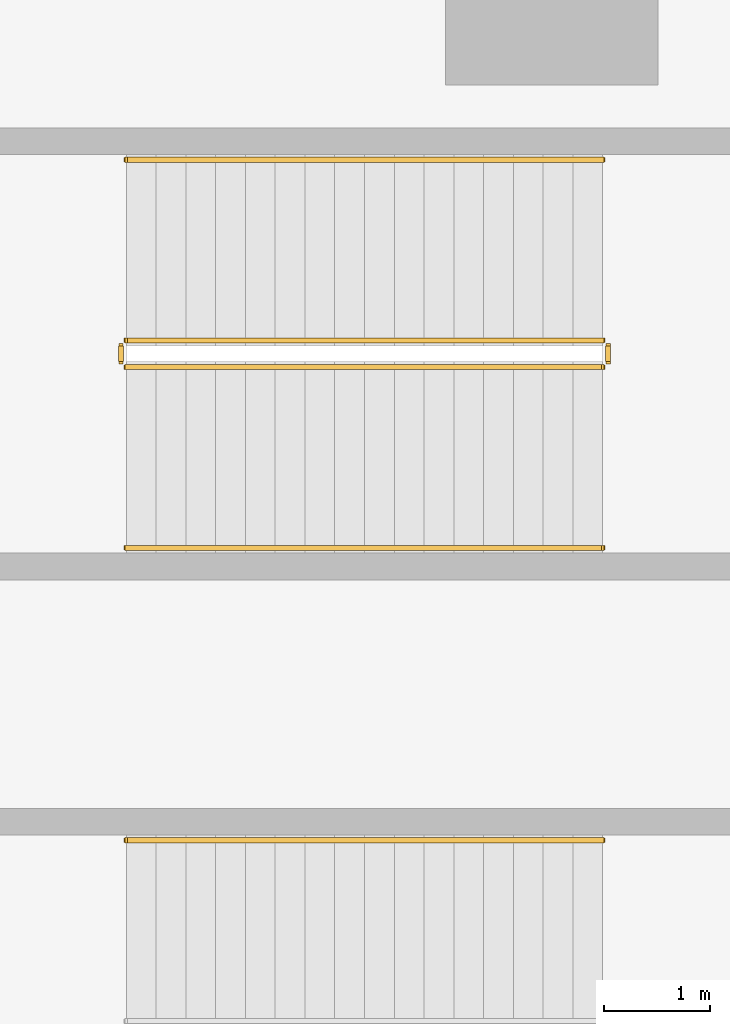
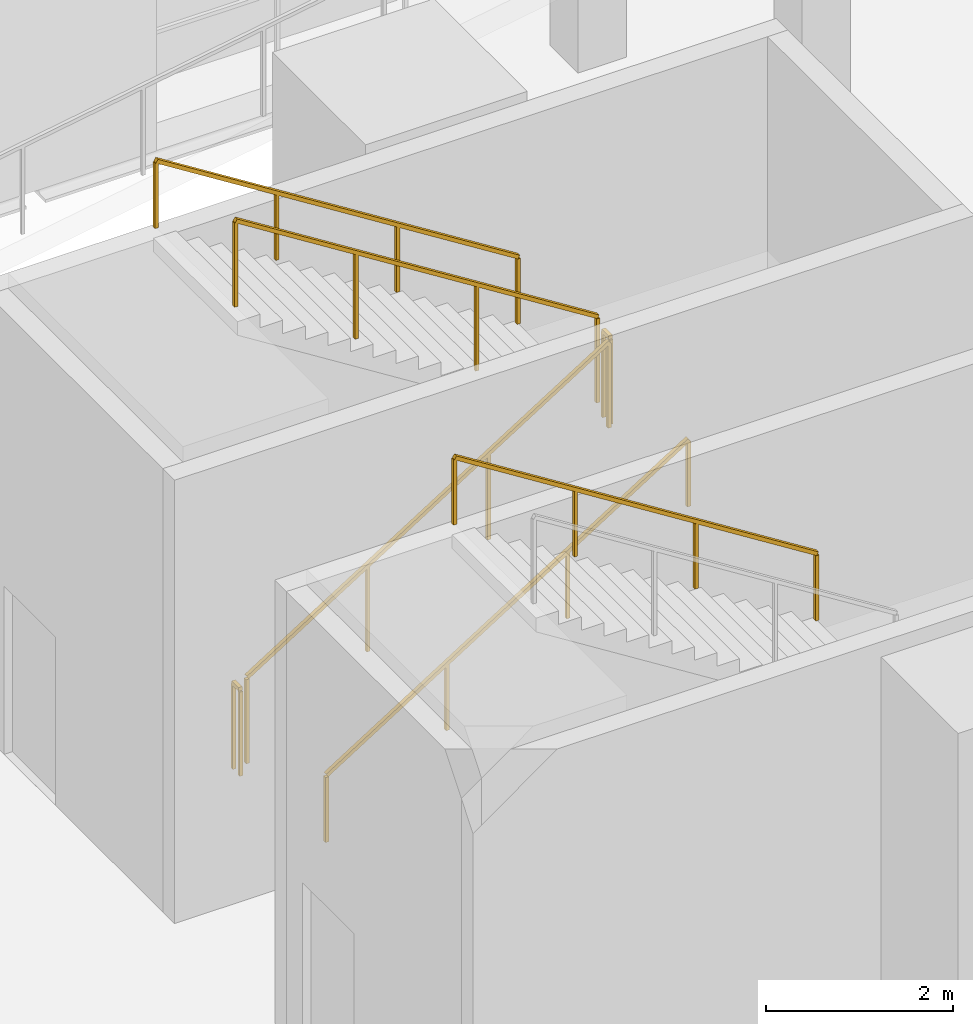
# One storey, part 13 of 16: 7 railings.
"""IFC4 building model written with IfcOpenShell, lengths in metres."""

from ifc_helpers import new_model, si_unit, direction, frame, origin, origin_2d, place, context, subcontext, project, spatial, rectangle, extrude, source, transform, mapped, material, type_object, element, save


model = new_model("IFC4")

# Units and contexts
model_context = context("Model", 3, precision=1e-05, world=origin(), true_north=direction((0.0, 1.0)))
body_context = subcontext(model_context, "Body", "Model", "MODEL_VIEW")
ifc_project = project(units=[si_unit("LENGTHUNIT", "METRE"), si_unit("AREAUNIT", "SQUARE_METRE"), si_unit("VOLUMEUNIT", "CUBIC_METRE"), si_unit("PLANEANGLEUNIT", "RADIAN"), si_unit("MASSUNIT", "GRAM", prefix="KILO")], contexts=[model_context])

# Site, building, storey
site_placement = place(None, origin())
site = spatial("IfcSite", under=ifc_project, at=site_placement, CompositionType="ELEMENT")
building_placement = place(site_placement, origin())
building = spatial("IfcBuilding", under=site, at=building_placement, Name="Vardaveli Station Tower", CompositionType="ELEMENT")
storey_placement = place(building_placement, frame((0.0, 0.0, -6.0)))
storey = spatial("IfcBuildingStorey", under=building, at=storey_placement, Name="B01", CompositionType="ELEMENT", Elevation=-6.0)

# Railings
ifc_material = material(Name="Brushed AISI 316 stainless steel", Category="steel")
railing_type_1 = type_object("IfcRailingType", Name="RL-GUARD-1150", PredefinedType="GUARDRAIL", material=ifc_material)
shared_shape_1 = source(origin(), body_context, "Body", "SweptSolid", [
    extrude(rectangle(XDim=0.048095703125, YDim=0.048095703125, at=origin_2d()), frame((0.0, 0.0, 1.1259765625), z_axis=(0.0, 1.0, 0.0), x_axis=(-1.0, 0.0, 0.0)), (0.0, 0.0, 1.0), 0.14990234375),
    extrude(rectangle(XDim=0.0419921875, YDim=0.0419921875, at=origin_2d()), origin(), (0.0, 0.0, 1.0), 1.101806640625),
    extrude(rectangle(XDim=0.0419921875, YDim=0.0419921875, at=origin_2d()), frame((0.0, 0.14990234375, 0.0)), (0.0, 0.0, 1.0), 1.101806640625),
])
for number, where, name in (
    (1, (60.530029296875, 38.0, 3.0), "B01 ST-P2 stair guard 2"),
    (2, (55.949951171875, 38.0, 0.0), "B01 ST-P2 stair guard 4"),
):
    element("IfcRailing", number, at=place(storey_placement, frame(where)), inside=storey, type_object=railing_type_1, Name=name, PredefinedType="GUARDRAIL", context=body_context, shape_type="MappedRepresentation", body=[
        mapped(shared_shape_1, transform((0.0, 0.0, 0.0), scale=1.0)),
    ])
shared_shape_2 = source(origin(), body_context, "Body", "SweptSolid", [
    extrude(rectangle(XDim=0.048095703125, YDim=0.048095703125, at=origin_2d()), frame((0.0, 0.0, 1.1259765625), z_axis=(0.845997938375, 0.0, 0.533186166611), x_axis=(0.0, 1.0, 0.0)), (0.0, 0.0, 1.0), 5.29541015625),
    extrude(rectangle(XDim=0.0419921875, YDim=0.0419921875, at=origin_2d()), origin(), (0.0, 0.0, 1.0), 1.101806640625),
    extrude(rectangle(XDim=0.0419921875, YDim=0.0419921875, at=origin_2d()), frame((1.493408203125, 0.0, 0.941162109375)), (0.0, 0.0, 1.0), 1.101806640625),
    extrude(rectangle(XDim=0.0419921875, YDim=0.0419921875, at=origin_2d()), frame((2.986572265625, 0.0, 1.88232421875)), (0.0, 0.0, 1.0), 1.101806640625),
    extrude(rectangle(XDim=0.0419921875, YDim=0.0419921875, at=origin_2d()), frame((4.47998046875, 0.0, 2.823486328125)), (0.0, 0.0, 1.0), 1.101806640625),
])
railing_1_placement = place(storey_placement, frame((56.0, 37.949951171875, 0.176513671875)))
element("IfcRailing", 3, at=railing_1_placement, inside=storey, type_object=railing_type_1, Name="B01 ST-P2 stair guard 1", PredefinedType="GUARDRAIL", context=body_context, shape_type="MappedRepresentation", body=[
    mapped(shared_shape_2, transform((0.0, 0.0, 0.0), scale=1.0)),
])
shared_shape_3 = source(origin(), body_context, "Body", "SweptSolid", [
    extrude(rectangle(XDim=0.048095703125, YDim=0.048095703125, at=origin_2d()), frame((0.0, 0.0, 1.1259765625), z_axis=(-0.845997938375, 0.0, 0.533186166611), x_axis=(0.0, -1.0, 0.0)), (0.0, 0.0, 1.0), 5.29541015625),
    extrude(rectangle(XDim=0.0419921875, YDim=0.0419921875, at=origin_2d()), origin(), (0.0, 0.0, 1.0), 1.101806640625),
    extrude(rectangle(XDim=0.0419921875, YDim=0.0419921875, at=origin_2d()), frame((-1.493408203125, 0.0, 0.941162109375)), (0.0, 0.0, 1.0), 1.101806640625),
    extrude(rectangle(XDim=0.0419921875, YDim=0.0419921875, at=origin_2d()), frame((-2.986572265625, 0.0, 1.88232421875)), (0.0, 0.0, 1.0), 1.101806640625),
    extrude(rectangle(XDim=0.0419921875, YDim=0.0419921875, at=origin_2d()), frame((-4.47998046875, 0.0, 2.823486328125)), (0.0, 0.0, 1.0), 1.101806640625),
])
railing_2_placement = place(storey_placement, frame((60.47998046875, 38.199951171875, 3.176513671875)))
element("IfcRailing", 4, at=railing_2_placement, inside=storey, type_object=railing_type_1, Name="B01 ST-P2 stair guard 3", PredefinedType="GUARDRAIL", context=body_context, shape_type="MappedRepresentation", body=[
    mapped(shared_shape_3, transform((0.0, 0.0, 0.0), scale=1.0)),
])
railing_type_2 = type_object("IfcRailingType", Name="RL-HAND-900", PredefinedType="HANDRAIL", material=ifc_material)
shared_shape_4 = source(origin(), body_context, "Body", "SweptSolid", [
    extrude(rectangle(XDim=0.048095703125, YDim=0.048095703125, at=origin_2d()), frame((0.0, 0.0, 0.8759765625), z_axis=(0.845997938375, 0.0, 0.533186166611), x_axis=(0.0, 1.0, 0.0)), (0.0, 0.0, 1.0), 5.29541015625),
    extrude(rectangle(XDim=0.0419921875, YDim=0.0419921875, at=origin_2d()), origin(), (0.0, 0.0, 1.0), 0.851806640625),
    extrude(rectangle(XDim=0.0419921875, YDim=0.0419921875, at=origin_2d()), frame((1.493408203125, 0.0, 0.941162109375)), (0.0, 0.0, 1.0), 0.851806640625),
    extrude(rectangle(XDim=0.0419921875, YDim=0.0419921875, at=origin_2d()), frame((2.986572265625, 0.0, 1.88232421875)), (0.0, 0.0, 1.0), 0.851806640625),
    extrude(rectangle(XDim=0.0419921875, YDim=0.0419921875, at=origin_2d()), frame((4.47998046875, 0.0, 2.823486328125)), (0.0, 0.0, 1.0), 0.851806640625),
])
railing_3_placement = place(storey_placement, frame((56.0, 36.25, 0.176513671875)))
element("IfcRailing", 5, at=railing_3_placement, inside=storey, type_object=railing_type_2, Name="B01 ST-P2 stair handrail 1", PredefinedType="HANDRAIL", context=body_context, shape_type="MappedRepresentation", body=[
    mapped(shared_shape_4, transform((0.0, 0.0, 0.0), scale=1.0)),
])
shared_shape_5 = source(origin(), body_context, "Body", "SweptSolid", [
    extrude(rectangle(XDim=0.048095703125, YDim=0.048095703125, at=origin_2d()), frame((0.0, 0.0, 0.8759765625), z_axis=(-0.845997938375, 0.0, 0.533186166611), x_axis=(0.0, -1.0, 0.0)), (0.0, 0.0, 1.0), 5.29541015625),
    extrude(rectangle(XDim=0.0419921875, YDim=0.0419921875, at=origin_2d()), origin(), (0.0, 0.0, 1.0), 0.851806640625),
    extrude(rectangle(XDim=0.0419921875, YDim=0.0419921875, at=origin_2d()), frame((-1.493408203125, 0.0, 0.941162109375)), (0.0, 0.0, 1.0), 0.851806640625),
    extrude(rectangle(XDim=0.0419921875, YDim=0.0419921875, at=origin_2d()), frame((-2.986572265625, 0.0, 1.88232421875)), (0.0, 0.0, 1.0), 0.851806640625),
    extrude(rectangle(XDim=0.0419921875, YDim=0.0419921875, at=origin_2d()), frame((-4.47998046875, 0.0, 2.823486328125)), (0.0, 0.0, 1.0), 0.851806640625),
])
for number, where, name in (
    (6, (60.47998046875, 33.5, 3.176513671875), "B01 ST-S2 stair handrail 2"),
    (7, (60.47998046875, 39.89990234375, 3.176513671875), "B01 ST-P2 stair handrail 2"),
):
    element("IfcRailing", number, at=place(storey_placement, frame(where)), inside=storey, type_object=railing_type_2, Name=name, PredefinedType="HANDRAIL", context=body_context, shape_type="MappedRepresentation", body=[
        mapped(shared_shape_5, transform((0.0, 0.0, 0.0), scale=1.0)),
    ])

save(model, "model.ifc")
